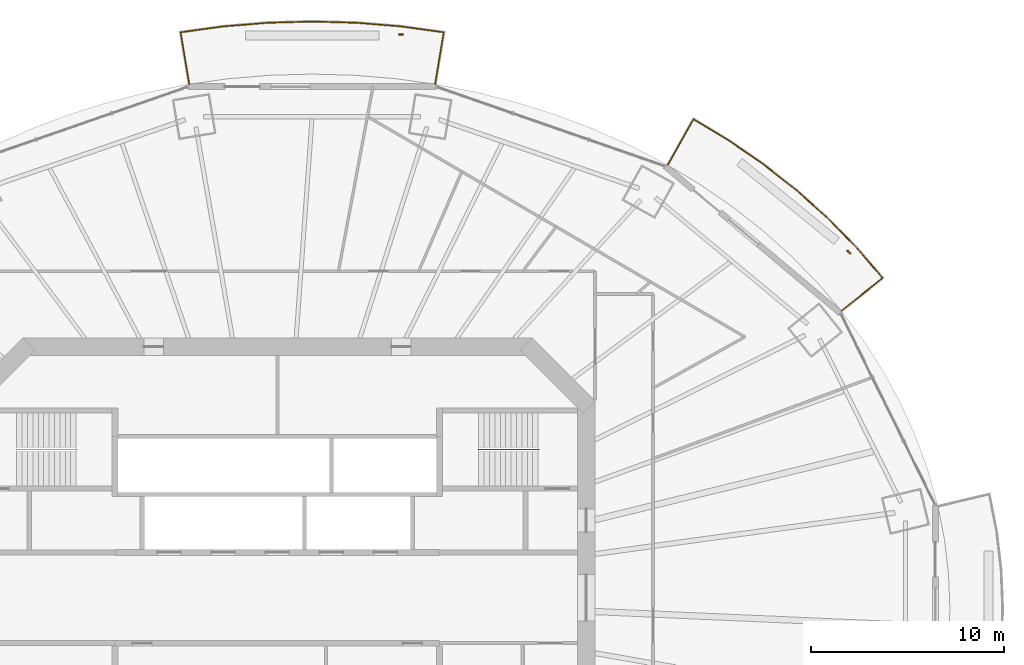
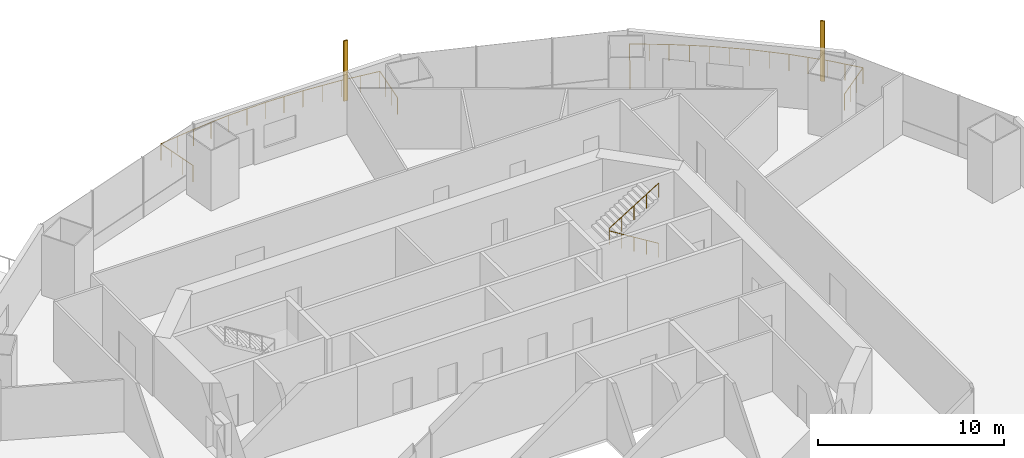
# One storey, part 19 of 21: 3 railings, 2 shading devices.
"""IFC4 building model written with IfcOpenShell, lengths in metres."""

from ifc_helpers import new_model, si_unit, direction, frame, origin, origin_2d, place, context, subcontext, project, spatial, rectangle, circle, extrude, material, material_profile, profile_set, type_object, element, save


model = new_model("IFC4")

# Units and contexts
model_context = context("Model", 3, precision=1e-05, world=origin(), true_north=direction((0.0, 1.0)))
body_context = subcontext(model_context, "Body", "Model", "MODEL_VIEW")
ifc_project = project(units=[si_unit("LENGTHUNIT", "METRE"), si_unit("AREAUNIT", "SQUARE_METRE"), si_unit("VOLUMEUNIT", "CUBIC_METRE"), si_unit("PLANEANGLEUNIT", "RADIAN"), si_unit("MASSUNIT", "GRAM", prefix="KILO")], contexts=[model_context])

# Site, building, storey
site_placement = place(None, origin())
site = spatial("IfcSite", under=ifc_project, at=site_placement, CompositionType="ELEMENT")
building_placement = place(site_placement, origin())
building = spatial("IfcBuilding", under=site, at=building_placement, Name="Marenthal Gate Tower", CompositionType="ELEMENT")
storey_placement = place(building_placement, frame((0.0, 0.0, 161.050048828125)))
storey = spatial("IfcBuildingStorey", under=building, at=storey_placement, Name="L34", CompositionType="ELEMENT", Elevation=161.050048828125)

# Railings
ifc_material_1 = material(Name="Stainless steel", Category="steel")
railing_type_1 = type_object("IfcRailingType", Name="Balcony guard 1100", PredefinedType="GUARDRAIL", material=ifc_material_1)
railing_1_placement = place(storey_placement, frame((20.214111328125, 22.402587890625, 0.0)))
element("IfcRailing", 1, at=railing_1_placement, inside=storey, type_object=railing_type_1, Name="Balcony guard L34 bay 2", PredefinedType="GUARDRAIL", context=body_context, shape_type="SweptSolid", body=[
    extrude(circle(Radius=0.02392578125, at=origin_2d()), frame((0.0, 0.0, 1.076171875), z_axis=(0.489411085686, 0.871928974406, -0.014719130397), x_axis=(-0.872023442683, 0.489464110443, 0.0)), (0.0, 0.0, 1.0), 2.72021484375),
    extrude(circle(Radius=0.02392578125, at=origin_2d()), frame((1.331298828125, 2.371826171875, 1.0361328125), z_axis=(0.856361121068, -0.516377410741, 0.0), x_axis=(0.516377410741, 0.856361121068, 0.0)), (0.0, 0.0, 1.0), 2.135498046875),
    extrude(circle(Radius=0.02392578125, at=origin_2d()), frame((3.16015625, 1.26904296875, 1.0361328125), z_axis=(0.823545660097, -0.567249985223, 0.0), x_axis=(0.567249985223, 0.823545660097, 0.0)), (0.0, 0.0, 1.0), 2.197509765625),
    extrude(circle(Radius=0.02392578125, at=origin_2d()), frame((4.969970703125, 0.0224609375, 1.0361328125), z_axis=(0.786162827468, -0.618019424215, 0.0), x_axis=(0.618019424215, 0.786162827468, 0.0)), (0.0, 0.0, 1.0), 2.179443359375),
    extrude(circle(Radius=0.02392578125, at=origin_2d()), frame((6.683349609375, -1.324462890625, 1.0361328125), z_axis=(0.744691426394, -0.667408929709, 0.0), x_axis=(0.667408929709, 0.744691426394, 0.0)), (0.0, 0.0, 1.0), 2.160888671875),
    extrude(circle(Radius=0.02392578125, at=origin_2d()), frame((8.29248046875, -2.7666015625, 1.0361328125), z_axis=(0.699082666614, -0.715040855644, 0.0), x_axis=(0.715040855644, 0.699082666614, 0.0)), (0.0, 0.0, 1.0), 2.141845703125),
    extrude(circle(Radius=0.02392578125, at=origin_2d()), frame((9.789794921875, -4.298095703125, 1.0361328125), z_axis=(0.650348633752, -0.759635869727, 0.0), x_axis=(0.759635869727, 0.650348633752, 0.0)), (0.0, 0.0, 1.0), 2.0439453125),
    extrude(circle(Radius=0.02392578125, at=origin_2d()), frame((11.119140625, -5.850830078125, 1.0361328125), z_axis=(-0.782541115897, -0.622424892619, 0.014719204382), x_axis=(0.622492329303, -0.782625900388, 0.0)), (0.0, 0.0, 1.0), 2.72021484375),
    extrude(circle(Radius=0.02099609375, at=origin_2d()), origin(), (0.0, 0.0, 1.0), 1.052001953125),
    extrude(circle(Radius=0.02099609375, at=origin_2d()), frame((0.44384765625, 0.79052734375, -0.013427734375)), (0.0, 0.0, 1.0), 1.052001953125),
    extrude(circle(Radius=0.02099609375, at=origin_2d()), frame((0.887451171875, 1.581298828125, -0.026611328125)), (0.0, 0.0, 1.0), 1.052001953125),
    extrude(circle(Radius=0.02099609375, at=origin_2d()), frame((1.331298828125, 2.371826171875, -0.0400390625)), (0.0, 0.0, 1.0), 1.052001953125),
    extrude(circle(Radius=0.02099609375, at=origin_2d()), frame((2.24560546875, 1.8203125, -0.0400390625)), (0.0, 0.0, 1.0), 1.052001953125),
    extrude(circle(Radius=0.02099609375, at=origin_2d()), frame((3.16015625, 1.26904296875, -0.0400390625)), (0.0, 0.0, 1.0), 1.052001953125),
    extrude(circle(Radius=0.02099609375, at=origin_2d()), frame((4.06494140625, 0.645751953125, -0.0400390625)), (0.0, 0.0, 1.0), 1.052001953125),
    extrude(circle(Radius=0.02099609375, at=origin_2d()), frame((4.969970703125, 0.0224609375, -0.0400390625)), (0.0, 0.0, 1.0), 1.052001953125),
    extrude(circle(Radius=0.02099609375, at=origin_2d()), frame((5.82666015625, -0.65087890625, -0.0400390625)), (0.0, 0.0, 1.0), 1.052001953125),
    extrude(circle(Radius=0.02099609375, at=origin_2d()), frame((6.683349609375, -1.324462890625, -0.0400390625)), (0.0, 0.0, 1.0), 1.052001953125),
    extrude(circle(Radius=0.02099609375, at=origin_2d()), frame((7.48779296875, -2.04541015625, -0.0400390625)), (0.0, 0.0, 1.0), 1.052001953125),
    extrude(circle(Radius=0.02099609375, at=origin_2d()), frame((8.29248046875, -2.7666015625, -0.0400390625)), (0.0, 0.0, 1.0), 1.052001953125),
    extrude(circle(Radius=0.02099609375, at=origin_2d()), frame((9.041015625, -3.5322265625, -0.0400390625)), (0.0, 0.0, 1.0), 1.052001953125),
    extrude(circle(Radius=0.02099609375, at=origin_2d()), frame((9.789794921875, -4.298095703125, -0.0400390625)), (0.0, 0.0, 1.0), 1.052001953125),
    extrude(circle(Radius=0.02099609375, at=origin_2d()), frame((10.45458984375, -5.074462890625, -0.0400390625)), (0.0, 0.0, 1.0), 1.052001953125),
    extrude(circle(Radius=0.02099609375, at=origin_2d()), frame((11.119140625, -5.850830078125, -0.0400390625)), (0.0, 0.0, 1.0), 1.052001953125),
    extrude(circle(Radius=0.02099609375, at=origin_2d()), frame((10.40966796875, -6.415283203125, -0.026611328125)), (0.0, 0.0, 1.0), 1.052001953125),
    extrude(circle(Radius=0.02099609375, at=origin_2d()), frame((9.699951171875, -6.9794921875, -0.013427734375)), (0.0, 0.0, 1.0), 1.052001953125),
    extrude(circle(Radius=0.02099609375, at=origin_2d()), frame((8.990478515625, -7.5439453125, 0.0)), (0.0, 0.0, 1.0), 1.052001953125),
])
railing_2_placement = place(storey_placement, frame((-4.562744140625, 26.5927734375, 0.0)))
element("IfcRailing", 2, at=railing_2_placement, inside=storey, type_object=railing_type_1, Name="Balcony guard L34 bay 4", PredefinedType="GUARDRAIL", context=body_context, shape_type="SweptSolid", body=[
    extrude(circle(Radius=0.02392578125, at=origin_2d()), frame((0.0, 0.0, 1.076171875), z_axis=(-0.164788694753, 0.986219051168, -0.014719687331), x_axis=(-0.986325910177, -0.164806549971, 0.0)), (0.0, 0.0, 1.0), 2.72021484375),
    extrude(circle(Radius=0.02392578125, at=origin_2d()), frame((-0.4482421875, 2.6826171875, 1.0361328125), z_axis=(0.990667720478, 0.136299184159, 0.0), x_axis=(-0.136299184159, 0.990667720478, 0.0)), (0.0, 0.0, 1.0), 2.222900390625),
    extrude(circle(Radius=0.02392578125, at=origin_2d()), frame((1.75390625, 2.985595703125, 1.0361328125), z_axis=(0.996598092029, 0.082415065148, 0.0), x_axis=(-0.082415065148, 0.996598092029, 0.0)), (0.0, 0.0, 1.0), 2.3076171875),
    extrude(circle(Radius=0.02392578125, at=origin_2d()), frame((4.0537109375, 3.17578125, 1.0361328125), z_axis=(0.999622365191, 0.027479574429, 0.0), x_axis=(-0.027479574429, 0.999622365191, 0.0)), (0.0, 0.0, 1.0), 2.31005859375),
    extrude(circle(Radius=0.02392578125, at=origin_2d()), frame((6.36279296875, 3.2392578125, 1.0361328125), z_axis=(0.999622365191, -0.027479574429, 0.0), x_axis=(0.027479574429, 0.999622365191, 0.0)), (0.0, 0.0, 1.0), 2.31005859375),
    extrude(circle(Radius=0.02392578125, at=origin_2d()), frame((8.671875, 3.17578125, 1.0361328125), z_axis=(0.996597373324, -0.082423755581, 0.0), x_axis=(0.082423755581, 0.996597373324, 0.0)), (0.0, 0.0, 1.0), 2.307373046875),
    extrude(circle(Radius=0.02392578125, at=origin_2d()), frame((10.971435546875, 2.985595703125, 1.0361328125), z_axis=(0.990669760511, -0.136284355703, 0.0), x_axis=(0.136284355703, 0.990669760511, 0.0)), (0.0, 0.0, 1.0), 2.22314453125),
    extrude(circle(Radius=0.02392578125, at=origin_2d()), frame((13.173828125, 2.6826171875, 1.0361328125), z_axis=(-0.164788694753, -0.986219051168, 0.014719687331), x_axis=(0.986325910177, -0.164806549971, 0.0)), (0.0, 0.0, 1.0), 2.72021484375),
    extrude(circle(Radius=0.02099609375, at=origin_2d()), origin(), (0.0, 0.0, 1.0), 1.052001953125),
    extrude(circle(Radius=0.02099609375, at=origin_2d()), frame((-0.1494140625, 0.894287109375, -0.013427734375)), (0.0, 0.0, 1.0), 1.052001953125),
    extrude(circle(Radius=0.02099609375, at=origin_2d()), frame((-0.298828125, 1.788330078125, -0.026611328125)), (0.0, 0.0, 1.0), 1.052001953125),
    extrude(circle(Radius=0.02099609375, at=origin_2d()), frame((-0.4482421875, 2.6826171875, -0.0400390625)), (0.0, 0.0, 1.0), 1.052001953125),
    extrude(circle(Radius=0.02099609375, at=origin_2d()), frame((0.65283203125, 2.833984375, -0.0400390625)), (0.0, 0.0, 1.0), 1.052001953125),
    extrude(circle(Radius=0.02099609375, at=origin_2d()), frame((1.75390625, 2.985595703125, -0.0400390625)), (0.0, 0.0, 1.0), 1.052001953125),
    extrude(circle(Radius=0.02099609375, at=origin_2d()), frame((2.90380859375, 3.08056640625, -0.0400390625)), (0.0, 0.0, 1.0), 1.052001953125),
    extrude(circle(Radius=0.02099609375, at=origin_2d()), frame((4.0537109375, 3.17578125, -0.0400390625)), (0.0, 0.0, 1.0), 1.052001953125),
    extrude(circle(Radius=0.02099609375, at=origin_2d()), frame((5.208251953125, 3.20751953125, -0.0400390625)), (0.0, 0.0, 1.0), 1.052001953125),
    extrude(circle(Radius=0.02099609375, at=origin_2d()), frame((6.36279296875, 3.2392578125, -0.0400390625)), (0.0, 0.0, 1.0), 1.052001953125),
    extrude(circle(Radius=0.02099609375, at=origin_2d()), frame((7.517333984375, 3.20751953125, -0.0400390625)), (0.0, 0.0, 1.0), 1.052001953125),
    extrude(circle(Radius=0.02099609375, at=origin_2d()), frame((8.671875, 3.17578125, -0.0400390625)), (0.0, 0.0, 1.0), 1.052001953125),
    extrude(circle(Radius=0.02099609375, at=origin_2d()), frame((9.82177734375, 3.08056640625, -0.0400390625)), (0.0, 0.0, 1.0), 1.052001953125),
    extrude(circle(Radius=0.02099609375, at=origin_2d()), frame((10.971435546875, 2.985595703125, -0.0400390625)), (0.0, 0.0, 1.0), 1.052001953125),
    extrude(circle(Radius=0.02099609375, at=origin_2d()), frame((12.07275390625, 2.833984375, -0.0400390625)), (0.0, 0.0, 1.0), 1.052001953125),
    extrude(circle(Radius=0.02099609375, at=origin_2d()), frame((13.173828125, 2.6826171875, -0.0400390625)), (0.0, 0.0, 1.0), 1.052001953125),
    extrude(circle(Radius=0.02099609375, at=origin_2d()), frame((13.0244140625, 1.788330078125, -0.026611328125)), (0.0, 0.0, 1.0), 1.052001953125),
    extrude(circle(Radius=0.02099609375, at=origin_2d()), frame((12.875, 0.894287109375, -0.013427734375)), (0.0, 0.0, 1.0), 1.052001953125),
    extrude(circle(Radius=0.02099609375, at=origin_2d()), frame((12.7255859375, 0.0, 0.0)), (0.0, 0.0, 1.0), 1.052001953125),
])
ifc_material_2 = material(Name="Stainless steel", Category="steel")
railing_type_2 = type_object("IfcRailingType", Name="Stair handrail", PredefinedType="HANDRAIL", material=ifc_material_2)
railing_3_placement = place(storey_placement, frame((13.5, 7.675048828125, 0.1728515625)))
element("IfcRailing", 3, at=railing_3_placement, inside=storey, type_object=railing_type_2, Name="Handrail ST3", PredefinedType="HANDRAIL", context=body_context, shape_type="SweptSolid", body=[
    extrude(circle(Radius=0.0224609375, at=origin_2d()), frame((0.0, 0.0, 0.927490234375), z_axis=(-0.850835241893, 0.0, 0.525432575268), x_axis=(0.0, -1.0, 0.0)), (0.0, 0.0, 1.0), 3.6201171875),
    extrude(circle(Radius=0.0224609375, at=origin_2d()), frame((-3.080078125, 0.0, 2.82958984375), z_axis=(0.0, 0.0, 1.0), x_axis=(1.0, 0.0, 0.0)), (0.0, 0.0, 1.0), 0.1728515625),
    extrude(circle(Radius=0.0224609375, at=origin_2d()), frame((-3.080078125, 0.0, 3.00244140625), z_axis=(0.850835241893, 0.0, 0.525432575268), x_axis=(0.0, 1.0, 0.0)), (0.0, 0.0, 1.0), 3.6201171875),
    extrude(circle(Radius=0.02001953125, at=origin_2d()), origin(), (0.0, 0.0, 1.0), 0.905029296875),
    extrude(circle(Radius=0.02001953125, at=origin_2d()), frame((-0.77001953125, 0.0, 0.4755859375)), (0.0, 0.0, 1.0), 0.905029296875),
    extrude(circle(Radius=0.02001953125, at=origin_2d()), frame((-1.5400390625, 0.0, 0.951171875)), (0.0, 0.0, 1.0), 0.905029296875),
    extrude(circle(Radius=0.02001953125, at=origin_2d()), frame((-2.31005859375, 0.0, 1.426513671875)), (0.0, 0.0, 1.0), 0.905029296875),
    extrude(circle(Radius=0.02001953125, at=origin_2d()), frame((-3.080078125, 0.0, 1.902099609375)), (0.0, 0.0, 1.0), 0.905029296875),
    extrude(circle(Radius=0.02001953125, at=origin_2d()), frame((-3.080078125, 0.0, 2.074951171875)), (0.0, 0.0, 1.0), 0.905029296875),
    extrude(circle(Radius=0.02001953125, at=origin_2d()), frame((-2.31005859375, 0.0, 2.550537109375)), (0.0, 0.0, 1.0), 0.905029296875),
    extrude(circle(Radius=0.02001953125, at=origin_2d()), frame((-1.5400390625, 0.0, 3.02587890625)), (0.0, 0.0, 1.0), 0.905029296875),
    extrude(circle(Radius=0.02001953125, at=origin_2d()), frame((-0.77001953125, 0.0, 3.50146484375)), (0.0, 0.0, 1.0), 0.905029296875),
    extrude(circle(Radius=0.02001953125, at=origin_2d()), frame((0.0, 0.0, 3.97705078125)), (0.0, 0.0, 1.0), 0.905029296875),
])

# Shading devices
ifc_material_3 = material(Name="Terracotta", Category="masonry")
ifc_material_profile = material_profile(ifc_material_3, rectangle(XDim=0.25, YDim=0.080078125, at=origin_2d()), Name="Terracotta baguette 250x80")
ifc_profile_set = profile_set([ifc_material_profile], Name="Terracotta")
shading_device_type = type_object("IfcShadingDeviceType", Name="Terracotta BAGUETTE SCREEN 250x80", PredefinedType="USERDEFINED", material=ifc_profile_set)
for number, where, z_axis, x_axis, name in (
    (4, (29.590576171875, 17.891357421875, -0.0400390625), (0.0, 0.0, 1.0), (-0.765921119211, 0.642934552771, 0.0), "Terracotta BAGUETTE L34 bay 2L"),
    (5, (6.40283203125, 29.156005859375, -0.0400390625), (0.0, 0.0, 1.0), (-1.0, 0.0, 0.0), "Terracotta BAGUETTE L34 bay 4L"),
):
    element("IfcShadingDevice", number, at=place(storey_placement, frame(where, z_axis=z_axis, x_axis=x_axis)), inside=storey, type_object=shading_device_type, Name=name, ObjectType="BAGUETTE SCREEN", PredefinedType="USERDEFINED", context=body_context, shape_type="SweptSolid", body=[
        extrude(rectangle(XDim=0.25, YDim=0.080078125, at=origin_2d()), origin(), (0.0, 0.0, 1.0), 3.969970703125),
    ])

save(model, "model.ifc")
